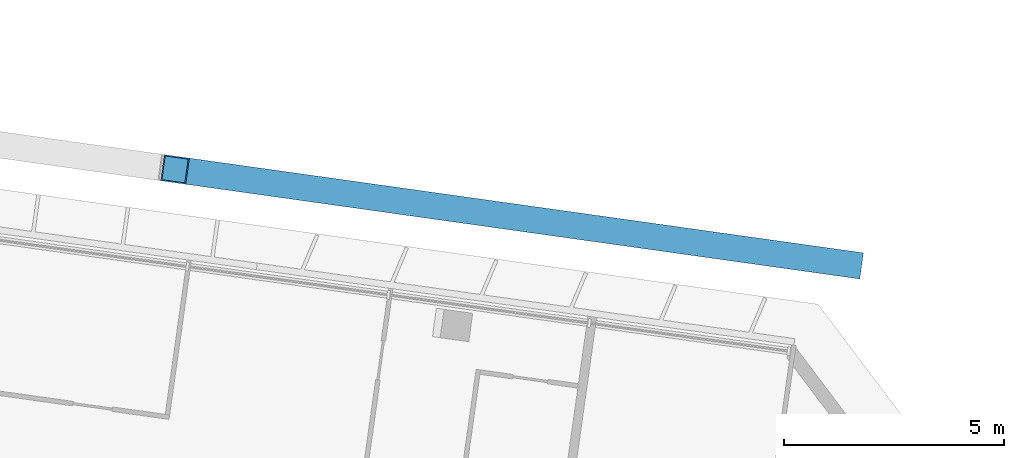
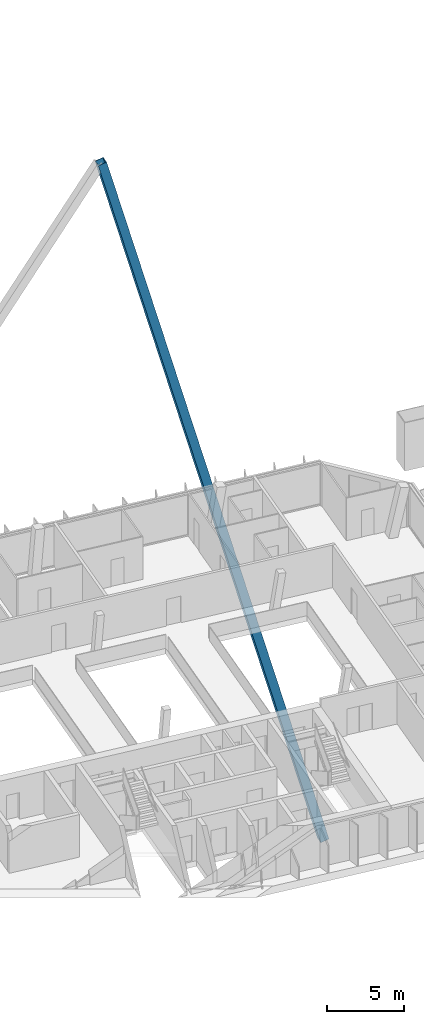
# One storey, part 9 of 28: 1 member.
"""IFC4 building model written with IfcOpenShell, lengths in metres."""

from ifc_helpers import new_model, si_unit, direction, frame, origin, origin_2d, place, context, subcontext, project, spatial, hollow_rectangle, extrude, material, material_profile, profile_set, type_object, element, save


model = new_model("IFC4")

# Units and contexts
model_context = context("Model", 3, precision=1e-05, world=origin(), true_north=direction((0.0, 1.0)))
body_context = subcontext(model_context, "Body", "Model", "MODEL_VIEW")
ifc_project = project(units=[si_unit("LENGTHUNIT", "METRE"), si_unit("AREAUNIT", "SQUARE_METRE"), si_unit("VOLUMEUNIT", "CUBIC_METRE"), si_unit("PLANEANGLEUNIT", "RADIAN"), si_unit("MASSUNIT", "GRAM", prefix="KILO")], contexts=[model_context])

# Site, building, storey
site_placement = place(None, origin())
site = spatial("IfcSite", under=ifc_project, at=site_placement, CompositionType="ELEMENT")
building_placement = place(site_placement, origin())
building = spatial("IfcBuilding", under=site, at=building_placement, Name="Mirante Cascada Hotel Towers", CompositionType="ELEMENT")
storey_placement = place(building_placement, frame((0.0, 0.0, 243.2)))
storey = spatial("IfcBuildingStorey", under=building, at=storey_placement, Name="L58", CompositionType="ELEMENT", Elevation=243.2)

# Member
ifc_material = material(Name="Steel ASTM A572 Gr 50", Category="steel")
ifc_material_profile = material_profile(ifc_material, hollow_rectangle(XDim=0.6, YDim=0.6, WallThickness=0.028, at=origin_2d()), Name="Box brace 600x600x28 ASTM A572 Gr 50")
ifc_profile_set = profile_set([ifc_material_profile], Name="Steel ASTM A572 Gr 50")
member_type = type_object("IfcMemberType", Name="Box brace 600x600x28 ASTM A572 Gr 50", PredefinedType="BRACE", material=ifc_profile_set)
member_placement = place(storey_placement, frame((-20.6057, 17.8861, -27.9783), z_axis=(-0.2579311, 0.0362492, 0.9654831), x_axis=(-0.1391707, -0.9902684, 0.0)))
element("IfcMember", 1, at=member_placement, inside=storey, type_object=member_type, Name="brace T1 L58 1", PredefinedType="BRACE", context=body_context, shape_type="SweptSolid", body=[
    extrude(hollow_rectangle(XDim=0.6, YDim=0.6, WallThickness=0.028, at=origin_2d()), origin(), (0.0, 0.0, 1.0), 59.4523),
])

save(model, "model.ifc")
